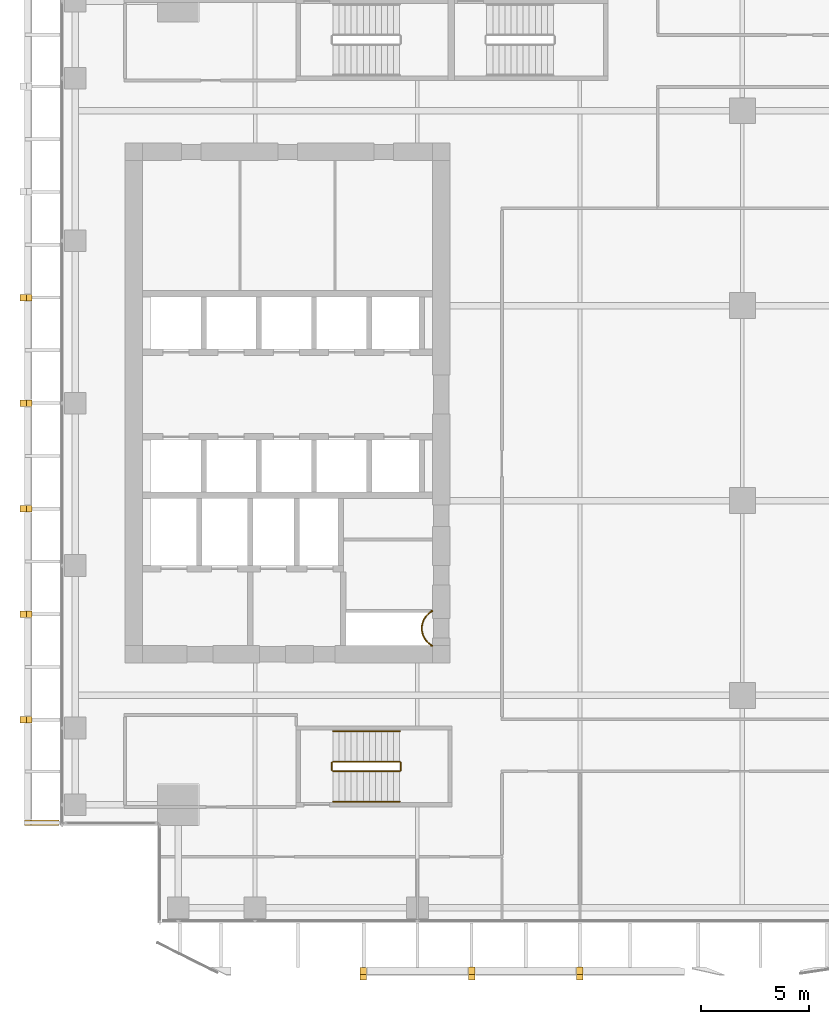
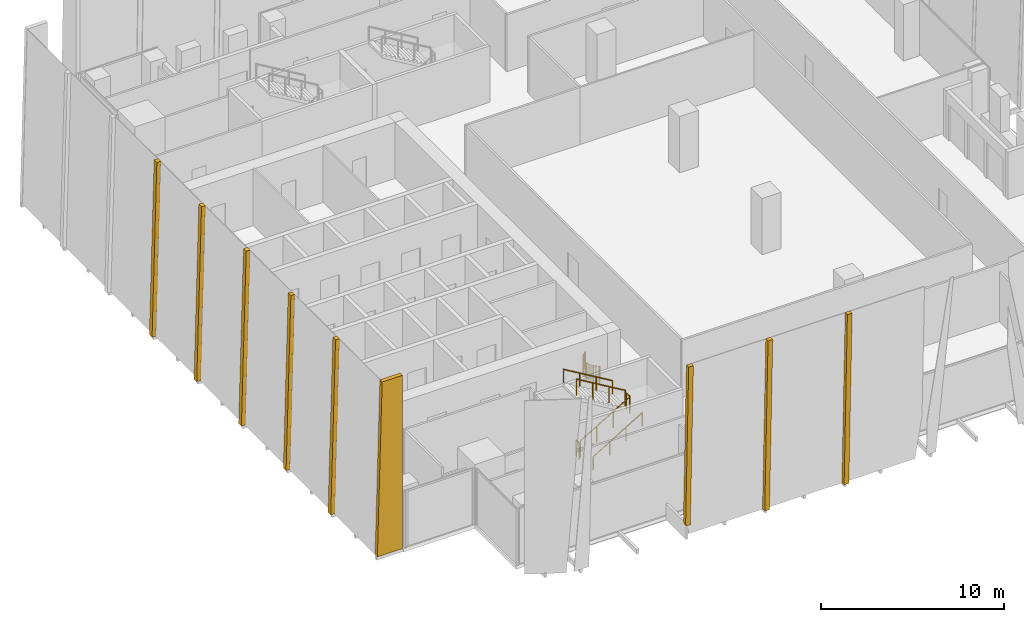
# One storey, part 32 of 35: 9 coverings, 7 railings.
"""IFC4 building model written with IfcOpenShell, lengths in metres."""

from ifc_helpers import new_model, si_unit, direction, frame, origin, origin_2d, place, context, subcontext, project, spatial, polyline, circle, outline, extrude, source, transform, mapped, material, layer, layer_set, type_object, element, save


model = new_model("IFC4")

# Units and contexts
model_context = context("Model", 3, precision=1e-05, world=origin(), true_north=direction((0.0, 1.0)))
body_context = subcontext(model_context, "Body", "Model", "MODEL_VIEW")
ifc_project = project(units=[si_unit("LENGTHUNIT", "METRE"), si_unit("AREAUNIT", "SQUARE_METRE"), si_unit("VOLUMEUNIT", "CUBIC_METRE"), si_unit("PLANEANGLEUNIT", "RADIAN"), si_unit("MASSUNIT", "GRAM", prefix="KILO")], contexts=[model_context])

# Site, building, storey
site_placement = place(None, origin())
site = spatial("IfcSite", under=ifc_project, at=site_placement, CompositionType="ELEMENT")
building_placement = place(site_placement, origin())
building = spatial("IfcBuilding", under=site, at=building_placement, Name="Khomas Fold Tower", CompositionType="ELEMENT")
storey_placement = place(building_placement, frame((0.0, 0.0, 200.699951171875)))
storey = spatial("IfcBuildingStorey", under=building, at=storey_placement, Name="L44", CompositionType="ELEMENT", Elevation=200.699951171875)

# Coverings
ifc_material_1 = material(Name="Natural stone cladding", Category="masonry")
ifc_layer = layer(ifc_material_1, 0.25)
ifc_layer_set = layer_set([ifc_layer], Name="Natural stone cladding")
covering_type = type_object("IfcCoveringType", Name="SK-Karibib marble stone mullion", PredefinedType="CLADDING", material=ifc_layer_set)
covering_1_placement = place(storey_placement, frame((16.85009765625, 0.94384765625, 0.93212890625), z_axis=(0.000138304978, 0.999510922124, 0.031271351521), x_axis=(9.92e-10, -0.03127135182, 0.999510931684)))
element("IfcCovering", 1, at=covering_1_placement, inside=storey, type_object=covering_type, Name="OUTER SKIN mullion L44 SM101-4", PredefinedType="CLADDING", context=body_context, shape_type="SweptSolid", body=[
    extrude(outline(polyline([(0.0, 0.0), (10.623117734298262, -1.3552527156068805e-20), (10.623117734595594, 0.29980468463262794), (-0.18221542844484345, 0.29980469628282863), (-0.1822154286937498, 0.04882813618320195), (0.0, 0.0)])), origin(), (0.0, 0.0, -1.0), 0.25),
])
for number, where, z_axis, x_axis, name in (
    (2, (21.85009765625, 0.97314453125, 0.0), (0.0, 0.999510363794, 0.031289497744), (0.0, -0.031289497744, 0.999510363794), "OUTER SKIN mullion L44 SM102-6"),
    (3, (26.85009765625, 0.97314453125, 0.0), (0.0, 0.999510363794, 0.031289497744), (0.0, -0.031289497744, 0.999510363794), "OUTER SKIN mullion L44 SM103-8"),
):
    element("IfcCovering", number, at=place(storey_placement, frame(where, z_axis=z_axis, x_axis=x_axis)), inside=storey, type_object=covering_type, Name=name, PredefinedType="CLADDING", context=body_context, shape_type="SweptSolid", body=[
        extrude(outline(polyline([(0.0, 0.0), (11.555706920623285, 0.0), (11.555706920623285, 0.2998046875), (0.0, 0.2998046875), (0.0, 0.0)])), origin(), (0.0, 0.0, -1.0), 0.25),
    ])
for number, where, z_axis, x_axis, name in (
    (4, (1.147705078125, 12.22509765625, 0.006591796875), (-0.999657230839, 0.0, 0.026180543005), (0.0, 1.0, 0.0), "OUTER SKIN mullion L44 W2"),
    (5, (1.147705078125, 17.10009765625, 0.006591796875), (-0.999657230839, 0.0, 0.026180543005), (0.0, 1.0, 0.0), "OUTER SKIN mullion L44 W4"),
    (6, (1.147705078125, 21.97509765625, 0.006591796875), (-0.999657230839, 0.0, 0.026180543005), (0.0, 1.0, 0.0), "OUTER SKIN mullion L44 W6"),
    (7, (1.147705078125, 26.85009765625, 0.006591796875), (-0.999657230839, 0.0, 0.026180543005), (0.0, 1.0, 0.0), "OUTER SKIN mullion L44 W8"),
    (8, (1.147705078125, 31.72509765625, 0.006591796875), (-0.999657230839, 0.0, 0.026180543005), (0.0, 1.0, 0.0), "OUTER SKIN mullion L44 W10"),
):
    element("IfcCovering", number, at=place(storey_placement, frame(where, z_axis=z_axis, x_axis=x_axis)), inside=storey, type_object=covering_type, Name=name, PredefinedType="CLADDING", context=body_context, shape_type="SweptSolid", body=[
        extrude(outline(polyline([(0.0, 0.0), (0.2998046875, 0.0), (0.2998046875, -11.554009186164079), (0.0, -11.554009186164079), (0.0, 0.0)])), origin(), (0.0, 0.0, -1.0), 0.25),
    ])
covering_2_placement = place(storey_placement, frame((2.949951171875, 7.5, 11.550048828125), z_axis=(0.0, -1.0, 0.0), x_axis=(-1.0, 0.0, 0.0)))
element("IfcCovering", 9, at=covering_2_placement, inside=storey, type_object=covering_type, Name="OUTER SKIN return L44 W1", PredefinedType="CLADDING", context=body_context, shape_type="SweptSolid", body=[
    extrude(outline(polyline([(0.0, 0.0), (1.289794921875, 0.0), (1.59228515625, 11.550048828125), (0.0, 11.550048828125), (0.0, 0.0)])), origin(), (0.0, 0.0, -1.0), 0.25),
])

# Railings
ifc_material_2 = material(Name="Steel balustrade", Category="steel")
railing_type_1 = type_object("IfcRailingType", Name="Stair guard", PredefinedType="GUARDRAIL", material=ifc_material_2)
shared_shape_1 = source(origin(), body_context, "Body", "SweptSolid", [
    extrude(circle(Radius=0.02392578125, at=origin_2d()), frame((0.0, 0.0, 1.076171875), z_axis=(0.0, 1.0, 0.0), x_axis=(-1.0, 0.0, 0.0)), (0.0, 0.0, 1.0), 0.349853515625),
    extrude(circle(Radius=0.02099609375, at=origin_2d()), origin(), (0.0, 0.0, 1.0), 1.052001953125),
    extrude(circle(Radius=0.02099609375, at=origin_2d()), frame((0.0, 0.349853515625, 0.0)), (0.0, 0.0, 1.0), 1.052001953125),
])
for number, where, name in (
    (10, (18.72998046875, 10.050048828125, 2.0), "L44 ST2 stair guard 2"),
    (11, (15.550048828125, 10.050048828125, 0.0), "L44 ST2 stair guard 4"),
):
    element("IfcRailing", number, at=place(storey_placement, frame(where)), inside=storey, type_object=railing_type_1, Name=name, PredefinedType="GUARDRAIL", context=body_context, shape_type="MappedRepresentation", body=[
        mapped(shared_shape_1, transform((0.0, 0.0, 0.0))),
    ])
shared_shape_2 = source(origin(), body_context, "Body", "SweptSolid", [
    extrude(circle(Radius=0.02392578125, at=origin_2d()), frame((0.0, 0.0, 1.076171875), z_axis=(0.859290745958, 0.0, 0.51148745235), x_axis=(0.0, 1.0, 0.0)), (0.0, 0.0, 1.0), 3.584228515625),
    extrude(circle(Radius=0.02099609375, at=origin_2d()), origin(), (0.0, 0.0, 1.0), 1.052001953125),
    extrude(circle(Radius=0.02099609375, at=origin_2d()), frame((1.026611328125, 0.0, 0.611083984375)), (0.0, 0.0, 1.0), 1.052001953125),
    extrude(circle(Radius=0.02099609375, at=origin_2d()), frame((2.05322265625, 0.0, 1.22216796875)), (0.0, 0.0, 1.0), 1.052001953125),
    extrude(circle(Radius=0.02099609375, at=origin_2d()), frame((3.079833984375, 0.0, 1.833251953125)), (0.0, 0.0, 1.0), 1.052001953125),
])
railing_1_placement = place(storey_placement, frame((15.60009765625, 10.0, 0.166748046875)))
element("IfcRailing", 12, at=railing_1_placement, inside=storey, type_object=railing_type_1, Name="L44 ST2 stair guard 1", PredefinedType="GUARDRAIL", context=body_context, shape_type="MappedRepresentation", body=[
    mapped(shared_shape_2, transform((0.0, 0.0, 0.0))),
])
shared_shape_3 = source(origin(), body_context, "Body", "SweptSolid", [
    extrude(circle(Radius=0.02392578125, at=origin_2d()), frame((0.0, 0.0, 1.076171875), z_axis=(-0.859290745958, 0.0, 0.51148745235), x_axis=(0.0, -1.0, 0.0)), (0.0, 0.0, 1.0), 3.584228515625),
    extrude(circle(Radius=0.02099609375, at=origin_2d()), origin(), (0.0, 0.0, 1.0), 1.052001953125),
    extrude(circle(Radius=0.02099609375, at=origin_2d()), frame((-1.026611328125, 0.0, 0.611083984375)), (0.0, 0.0, 1.0), 1.052001953125),
    extrude(circle(Radius=0.02099609375, at=origin_2d()), frame((-2.05322265625, 0.0, 1.22216796875)), (0.0, 0.0, 1.0), 1.052001953125),
    extrude(circle(Radius=0.02099609375, at=origin_2d()), frame((-3.079833984375, 0.0, 1.833251953125)), (0.0, 0.0, 1.0), 1.052001953125),
])
railing_2_placement = place(storey_placement, frame((18.679931640625, 10.449951171875, 2.166748046875)))
element("IfcRailing", 13, at=railing_2_placement, inside=storey, type_object=railing_type_1, Name="L44 ST2 stair guard 3", PredefinedType="GUARDRAIL", context=body_context, shape_type="MappedRepresentation", body=[
    mapped(shared_shape_3, transform((0.0, 0.0, 0.0))),
])
ifc_material_3 = material(Name="Steel handrail", Category="steel")
railing_type_2 = type_object("IfcRailingType", Name="Stair handrail", PredefinedType="HANDRAIL", material=ifc_material_3)
shared_shape_4 = source(origin(), body_context, "Body", "SweptSolid", [
    extrude(circle(Radius=0.02392578125, at=origin_2d()), frame((0.0, 0.0, 0.8759765625), z_axis=(0.859290745958, 0.0, 0.51148745235), x_axis=(0.0, 1.0, 0.0)), (0.0, 0.0, 1.0), 3.584228515625),
    extrude(circle(Radius=0.02099609375, at=origin_2d()), origin(), (0.0, 0.0, 1.0), 0.851806640625),
    extrude(circle(Radius=0.02099609375, at=origin_2d()), frame((1.026611328125, 0.0, 0.611083984375)), (0.0, 0.0, 1.0), 0.851806640625),
    extrude(circle(Radius=0.02099609375, at=origin_2d()), frame((2.05322265625, 0.0, 1.22216796875)), (0.0, 0.0, 1.0), 0.851806640625),
    extrude(circle(Radius=0.02099609375, at=origin_2d()), frame((3.079833984375, 0.0, 1.833251953125)), (0.0, 0.0, 1.0), 0.851806640625),
])
railing_3_placement = place(storey_placement, frame((15.60009765625, 8.60009765625, 0.166748046875)))
element("IfcRailing", 14, at=railing_3_placement, inside=storey, type_object=railing_type_2, Name="L44 ST2 stair handrail 1", PredefinedType="HANDRAIL", context=body_context, shape_type="MappedRepresentation", body=[
    mapped(shared_shape_4, transform((0.0, 0.0, 0.0))),
])
shared_shape_5 = source(origin(), body_context, "Body", "SweptSolid", [
    extrude(circle(Radius=0.02392578125, at=origin_2d()), frame((0.0, 0.0, 0.8759765625), z_axis=(-0.859290745958, 0.0, 0.51148745235), x_axis=(0.0, -1.0, 0.0)), (0.0, 0.0, 1.0), 3.584228515625),
    extrude(circle(Radius=0.02099609375, at=origin_2d()), origin(), (0.0, 0.0, 1.0), 0.851806640625),
    extrude(circle(Radius=0.02099609375, at=origin_2d()), frame((-1.026611328125, 0.0, 0.611083984375)), (0.0, 0.0, 1.0), 0.851806640625),
    extrude(circle(Radius=0.02099609375, at=origin_2d()), frame((-2.05322265625, 0.0, 1.22216796875)), (0.0, 0.0, 1.0), 0.851806640625),
    extrude(circle(Radius=0.02099609375, at=origin_2d()), frame((-3.079833984375, 0.0, 1.833251953125)), (0.0, 0.0, 1.0), 0.851806640625),
])
railing_4_placement = place(storey_placement, frame((18.679931640625, 11.85009765625, 2.166748046875)))
element("IfcRailing", 15, at=railing_4_placement, inside=storey, type_object=railing_type_2, Name="L44 ST2 stair handrail 2", PredefinedType="HANDRAIL", context=body_context, shape_type="MappedRepresentation", body=[
    mapped(shared_shape_5, transform((0.0, 0.0, 0.0))),
])
ifc_material_4 = material(Name="Steel balustrade", Category="steel")
railing_type_3 = type_object("IfcRailingType", Name="Shaft guard", PredefinedType="GUARDRAIL", material=ifc_material_4)
shared_shape_6 = source(origin(), body_context, "Body", "SweptSolid", [
    extrude(circle(Radius=0.02490234375, at=origin_2d()), frame((0.0, 0.0, 1.0751953125), z_axis=(1.0, 0.0, 0.0), x_axis=(0.0, 1.0, 0.0)), (0.0, 0.0, 1.0), 0.06103515625),
    extrude(circle(Radius=0.02490234375, at=origin_2d()), frame((0.06103515625, 0.0, 1.0751953125), z_axis=(-0.90746690712, -0.420123568111, 0.0), x_axis=(0.420123568111, -0.90746690712, 0.0)), (0.0, 0.0, 1.0), 0.0146484375),
    extrude(circle(Radius=0.02490234375, at=origin_2d()), frame((0.0478515625, -0.006103515625, 1.0751953125), z_axis=(-0.857492925713, -0.514495755428, 0.0), x_axis=(0.514495755428, -0.857492925713, 0.0)), (0.0, 0.0, 1.0), 0.08837890625),
    extrude(circle(Radius=0.02490234375, at=origin_2d()), frame((-0.02783203125, -0.051513671875, 1.0751953125), z_axis=(-0.802970227885, -0.596019138224, 0.0), x_axis=(0.596019138224, -0.802970227885, 0.0)), (0.0, 0.0, 1.0), 0.08837890625),
    extrude(circle(Radius=0.02490234375, at=origin_2d()), frame((-0.098876953125, -0.104248046875, 1.0751953125), z_axis=(-0.740814996175, -0.671709119666, 0.0), x_axis=(0.671709119666, -0.740814996175, 0.0)), (0.0, 0.0, 1.0), 0.08837890625),
    extrude(circle(Radius=0.02490234375, at=origin_2d()), frame((-0.164306640625, -0.16357421875, 1.0751953125), z_axis=(-0.671709119666, -0.740814996175, 0.0), x_axis=(0.740814996175, -0.671709119666, 0.0)), (0.0, 0.0, 1.0), 0.08837890625),
    extrude(circle(Radius=0.02490234375, at=origin_2d()), frame((-0.2236328125, -0.22900390625, 1.0751953125), z_axis=(-0.595558727233, -0.803311771616, 0.0), x_axis=(0.803311771616, -0.595558727233, 0.0)), (0.0, 0.0, 1.0), 0.088134765625),
    extrude(circle(Radius=0.02490234375, at=origin_2d()), frame((-0.276123046875, -0.2998046875, 1.0751953125), z_axis=(-0.514495755428, -0.857492925713, 0.0), x_axis=(0.857492925713, -0.514495755428, 0.0)), (0.0, 0.0, 1.0), 0.08837890625),
    extrude(circle(Radius=0.02490234375, at=origin_2d()), frame((-0.321533203125, -0.37548828125, 1.0751953125), z_axis=(-0.427256721383, -0.904130352346, 0.0), x_axis=(0.904130352346, -0.427256721383, 0.0)), (0.0, 0.0, 1.0), 0.088623046875),
    extrude(circle(Radius=0.02490234375, at=origin_2d()), frame((-0.359375, -0.45556640625, 1.0751953125), z_axis=(-0.337738989679, -0.941239807302, 0.0), x_axis=(0.941239807302, -0.337738989679, 0.0)), (0.0, 0.0, 1.0), 0.088134765625),
    extrude(circle(Radius=0.02490234375, at=origin_2d()), frame((-0.38916015625, -0.53857421875, 1.0751953125), z_axis=(-0.243185799972, -0.969979724887, 0.0), x_axis=(0.969979724887, -0.243185799972, 0.0)), (0.0, 0.0, 1.0), 0.08837890625),
    extrude(circle(Radius=0.02490234375, at=origin_2d()), frame((-0.41064453125, -0.624267578125, 1.0751953125), z_axis=(-0.146448518259, -0.989218293148, 0.0), x_axis=(0.989218293148, -0.146448518259, 0.0)), (0.0, 0.0, 1.0), 0.08837890625),
    extrude(circle(Radius=0.02490234375, at=origin_2d()), frame((-0.423583984375, -0.711669921875, 1.0751953125), z_axis=(-0.049799629132, -0.998759228712, 0.0), x_axis=(0.998759228712, -0.049799629132, 0.0)), (0.0, 0.0, 1.0), 0.088134765625),
    extrude(circle(Radius=0.02490234375, at=origin_2d()), frame((-0.427978515625, -0.7998046875, 1.0751953125), z_axis=(0.049662400856, -0.998766061669, 0.0), x_axis=(0.998766061669, 0.049662400856, 0.0)), (0.0, 0.0, 1.0), 0.08837890625),
    extrude(circle(Radius=0.02490234375, at=origin_2d()), frame((-0.423583984375, -0.88818359375, 1.0751953125), z_axis=(0.146448518259, -0.989218293148, 0.0), x_axis=(0.989218293148, 0.146448518259, 0.0)), (0.0, 0.0, 1.0), 0.08837890625),
    extrude(circle(Radius=0.02490234375, at=origin_2d()), frame((-0.41064453125, -0.9755859375, 1.0751953125), z_axis=(0.243185799972, -0.969979724887, 0.0), x_axis=(0.969979724887, 0.243185799972, 0.0)), (0.0, 0.0, 1.0), 0.08837890625),
    extrude(circle(Radius=0.02490234375, at=origin_2d()), frame((-0.38916015625, -1.061279296875, 1.0751953125), z_axis=(0.337738989679, -0.941239807302, 0.0), x_axis=(0.941239807302, 0.337738989679, 0.0)), (0.0, 0.0, 1.0), 0.088134765625),
    extrude(circle(Radius=0.02490234375, at=origin_2d()), frame((-0.359375, -1.144287109375, 1.0751953125), z_axis=(0.428323905606, -0.903625271828, 0.0), x_axis=(0.903625271828, 0.428323905606, 0.0)), (0.0, 0.0, 1.0), 0.08837890625),
    extrude(circle(Radius=0.02490234375, at=origin_2d()), frame((-0.321533203125, -1.22412109375, 1.0751953125), z_axis=(0.514495755428, -0.857492925713, 0.0), x_axis=(0.857492925713, 0.514495755428, 0.0)), (0.0, 0.0, 1.0), 0.08837890625),
    extrude(circle(Radius=0.02490234375, at=origin_2d()), frame((-0.276123046875, -1.2998046875, 1.0751953125), z_axis=(0.594235623595, -0.804291006819, 0.0), x_axis=(0.804291006819, 0.594235623595, 0.0)), (0.0, 0.0, 1.0), 0.08837890625),
    extrude(circle(Radius=0.02490234375, at=origin_2d()), frame((-0.2236328125, -1.370849609375, 1.0751953125), z_axis=(0.671709119666, -0.740814996175, 0.0), x_axis=(0.740814996175, 0.671709119666, 0.0)), (0.0, 0.0, 1.0), 0.08837890625),
    extrude(circle(Radius=0.02490234375, at=origin_2d()), frame((-0.164306640625, -1.436279296875, 1.0751953125), z_axis=(0.740814996175, -0.671709119666, 0.0), x_axis=(0.671709119666, 0.740814996175, 0.0)), (0.0, 0.0, 1.0), 0.08837890625),
    extrude(circle(Radius=0.02490234375, at=origin_2d()), frame((-0.098876953125, -1.49560546875, 1.0751953125), z_axis=(0.804291006819, -0.594235623595, 0.0), x_axis=(0.594235623595, 0.804291006819, 0.0)), (0.0, 0.0, 1.0), 0.08837890625),
    extrude(circle(Radius=0.02490234375, at=origin_2d()), frame((-0.02783203125, -1.548095703125, 1.0751953125), z_axis=(0.857492925713, -0.514495755428, 0.0), x_axis=(0.514495755428, 0.857492925713, 0.0)), (0.0, 0.0, 1.0), 0.08837890625),
    extrude(circle(Radius=0.02490234375, at=origin_2d()), frame((0.0478515625, -1.593505859375, 1.0751953125), z_axis=(0.901001669759, -0.433815618773, 0.0), x_axis=(0.433815618773, 0.901001669759, 0.0)), (0.0, 0.0, 1.0), 0.0146484375),
    extrude(circle(Radius=0.02490234375, at=origin_2d()), frame((0.06103515625, -1.599853515625, 1.0751953125), z_axis=(-1.0, 0.0, 0.0), x_axis=(0.0, -1.0, 0.0)), (0.0, 0.0, 1.0), 0.06103515625),
    extrude(circle(Radius=0.02001953125, at=origin_2d()), origin(), (0.0, 0.0, 1.0), 1.050048828125),
    extrude(circle(Radius=0.02001953125, at=origin_2d()), frame((0.06103515625, 0.0, 0.0)), (0.0, 0.0, 1.0), 1.050048828125),
    extrude(circle(Radius=0.02001953125, at=origin_2d()), frame((0.0478515625, -0.006103515625, 0.0)), (0.0, 0.0, 1.0), 1.050048828125),
    extrude(circle(Radius=0.02001953125, at=origin_2d()), frame((-0.02783203125, -0.051513671875, 0.0)), (0.0, 0.0, 1.0), 1.050048828125),
    extrude(circle(Radius=0.02001953125, at=origin_2d()), frame((-0.098876953125, -0.104248046875, 0.0)), (0.0, 0.0, 1.0), 1.050048828125),
    extrude(circle(Radius=0.02001953125, at=origin_2d()), frame((-0.164306640625, -0.16357421875, 0.0)), (0.0, 0.0, 1.0), 1.050048828125),
    extrude(circle(Radius=0.02001953125, at=origin_2d()), frame((-0.2236328125, -0.22900390625, 0.0)), (0.0, 0.0, 1.0), 1.050048828125),
    extrude(circle(Radius=0.02001953125, at=origin_2d()), frame((-0.276123046875, -0.2998046875, 0.0)), (0.0, 0.0, 1.0), 1.050048828125),
    extrude(circle(Radius=0.02001953125, at=origin_2d()), frame((-0.321533203125, -0.37548828125, 0.0)), (0.0, 0.0, 1.0), 1.050048828125),
    extrude(circle(Radius=0.02001953125, at=origin_2d()), frame((-0.359375, -0.45556640625, 0.0)), (0.0, 0.0, 1.0), 1.050048828125),
    extrude(circle(Radius=0.02001953125, at=origin_2d()), frame((-0.38916015625, -0.53857421875, 0.0)), (0.0, 0.0, 1.0), 1.050048828125),
    extrude(circle(Radius=0.02001953125, at=origin_2d()), frame((-0.41064453125, -0.624267578125, 0.0)), (0.0, 0.0, 1.0), 1.050048828125),
    extrude(circle(Radius=0.02001953125, at=origin_2d()), frame((-0.423583984375, -0.711669921875, 0.0)), (0.0, 0.0, 1.0), 1.050048828125),
    extrude(circle(Radius=0.02001953125, at=origin_2d()), frame((-0.427978515625, -0.7998046875, 0.0)), (0.0, 0.0, 1.0), 1.050048828125),
    extrude(circle(Radius=0.02001953125, at=origin_2d()), frame((-0.423583984375, -0.88818359375, 0.0)), (0.0, 0.0, 1.0), 1.050048828125),
    extrude(circle(Radius=0.02001953125, at=origin_2d()), frame((-0.41064453125, -0.9755859375, 0.0)), (0.0, 0.0, 1.0), 1.050048828125),
    extrude(circle(Radius=0.02001953125, at=origin_2d()), frame((-0.38916015625, -1.061279296875, 0.0)), (0.0, 0.0, 1.0), 1.050048828125),
    extrude(circle(Radius=0.02001953125, at=origin_2d()), frame((-0.359375, -1.144287109375, 0.0)), (0.0, 0.0, 1.0), 1.050048828125),
    extrude(circle(Radius=0.02001953125, at=origin_2d()), frame((-0.321533203125, -1.22412109375, 0.0)), (0.0, 0.0, 1.0), 1.050048828125),
    extrude(circle(Radius=0.02001953125, at=origin_2d()), frame((-0.276123046875, -1.2998046875, 0.0)), (0.0, 0.0, 1.0), 1.050048828125),
    extrude(circle(Radius=0.02001953125, at=origin_2d()), frame((-0.2236328125, -1.370849609375, 0.0)), (0.0, 0.0, 1.0), 1.050048828125),
    extrude(circle(Radius=0.02001953125, at=origin_2d()), frame((-0.164306640625, -1.436279296875, 0.0)), (0.0, 0.0, 1.0), 1.050048828125),
    extrude(circle(Radius=0.02001953125, at=origin_2d()), frame((-0.098876953125, -1.49560546875, 0.0)), (0.0, 0.0, 1.0), 1.050048828125),
    extrude(circle(Radius=0.02001953125, at=origin_2d()), frame((-0.02783203125, -1.548095703125, 0.0)), (0.0, 0.0, 1.0), 1.050048828125),
    extrude(circle(Radius=0.02001953125, at=origin_2d()), frame((0.0478515625, -1.593505859375, 0.0)), (0.0, 0.0, 1.0), 1.050048828125),
    extrude(circle(Radius=0.02001953125, at=origin_2d()), frame((0.06103515625, -1.599853515625, 0.0)), (0.0, 0.0, 1.0), 1.050048828125),
    extrude(circle(Radius=0.02001953125, at=origin_2d()), frame((0.0, -1.599853515625, 0.0)), (0.0, 0.0, 1.0), 1.050048828125),
])
railing_5_placement = place(storey_placement, frame((20.1279296875, 17.39990234375, 0.0)))
element("IfcRailing", 16, at=railing_5_placement, inside=storey, type_object=railing_type_3, Name="Shaft guard L44 1", PredefinedType="GUARDRAIL", context=body_context, shape_type="MappedRepresentation", body=[
    mapped(shared_shape_6, transform((0.0, 0.0, 0.0))),
])

save(model, "model.ifc")
